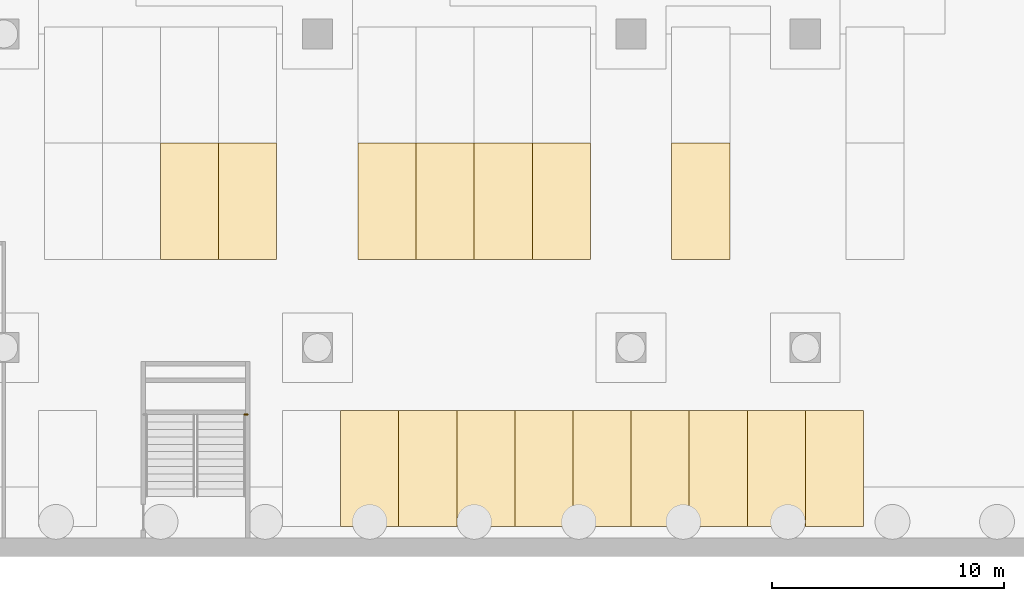
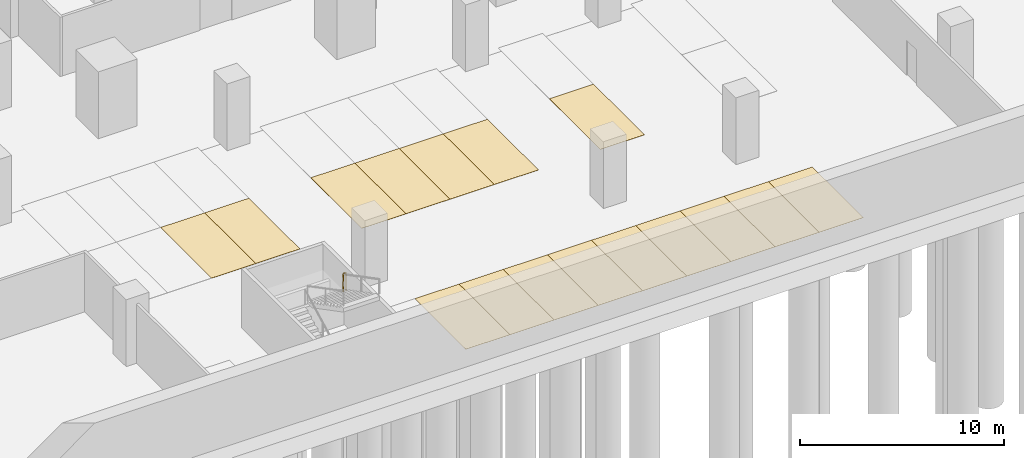
# One storey, part 30 of 40: 16 coverings, 1 railing.
"""IFC4 building model written with IfcOpenShell, lengths in metres."""

from ifc_helpers import new_model, si_unit, direction, frame, origin, origin_2d, place, context, subcontext, project, spatial, polyline, circle, outline, extrude, source, transform, mapped, material, layer, layer_set, type_object, element, save


model = new_model("IFC4")

# Units and contexts
model_context = context("Model", 3, precision=1e-05, world=origin(), true_north=direction((0.0, 1.0)))
body_context = subcontext(model_context, "Body", "Model", "MODEL_VIEW")
ifc_project = project(units=[si_unit("LENGTHUNIT", "METRE"), si_unit("AREAUNIT", "SQUARE_METRE"), si_unit("VOLUMEUNIT", "CUBIC_METRE"), si_unit("PLANEANGLEUNIT", "RADIAN"), si_unit("MASSUNIT", "GRAM", prefix="KILO")], contexts=[model_context])

# Site, building, storey
site_placement = place(None, origin())
site = spatial("IfcSite", under=ifc_project, at=site_placement, CompositionType="ELEMENT")
building_placement = place(site_placement, origin())
building = spatial("IfcBuilding", under=site, at=building_placement, Name="Altepetl Exchange Towers", CompositionType="ELEMENT")
storey_placement = place(building_placement, frame((0.0, 0.0, -8.0)))
storey = spatial("IfcBuildingStorey", under=building, at=storey_placement, Name="B2 Basement parking", CompositionType="ELEMENT", Elevation=-8.0)

# Coverings
ifc_material_1 = material(Name="Road marking paint")
ifc_layer = layer(ifc_material_1, 0.010009765625)
ifc_layer_set = layer_set([ifc_layer], Name="Road marking paint")
covering_type = type_object("IfcCoveringType", Name="Parking bay marking 2500 x 5000", PredefinedType="FLOORING", material=ifc_layer_set)
covering_1_placement = place(storey_placement, origin())
element("IfcCovering", 1, at=covering_1_placement, inside=storey, type_object=covering_type, Name="Parking bay B2-018", PredefinedType="FLOORING", context=body_context, shape_type="SweptSolid", body=[
    extrude(outline(polyline([(104.5, 1.300048828125), (107.0, 1.300048828125), (107.0, 6.300048828125), (104.5, 6.300048828125), (104.5, 1.300048828125)])), origin(), (0.0, 0.0, 1.0), 0.010009765625),
])
covering_2_placement = place(storey_placement, origin())
element("IfcCovering", 2, at=covering_2_placement, inside=storey, type_object=covering_type, Name="Parking bay B2-019", PredefinedType="FLOORING", context=body_context, shape_type="SweptSolid", body=[
    extrude(outline(polyline([(107.0, 1.300048828125), (109.5, 1.300048828125), (109.5, 6.300048828125), (107.0, 6.300048828125), (107.0, 1.300048828125)])), origin(), (0.0, 0.0, 1.0), 0.010009765625),
])
covering_3_placement = place(storey_placement, origin())
element("IfcCovering", 3, at=covering_3_placement, inside=storey, type_object=covering_type, Name="Parking bay B2-020", PredefinedType="FLOORING", context=body_context, shape_type="SweptSolid", body=[
    extrude(outline(polyline([(109.5, 1.300048828125), (112.0, 1.300048828125), (112.0, 6.300048828125), (109.5, 6.300048828125), (109.5, 1.300048828125)])), origin(), (0.0, 0.0, 1.0), 0.010009765625),
])
covering_4_placement = place(storey_placement, origin())
element("IfcCovering", 4, at=covering_4_placement, inside=storey, type_object=covering_type, Name="Parking bay B2-021", PredefinedType="FLOORING", context=body_context, shape_type="SweptSolid", body=[
    extrude(outline(polyline([(112.0, 1.300048828125), (114.5, 1.300048828125), (114.5, 6.300048828125), (112.0, 6.300048828125), (112.0, 1.300048828125)])), origin(), (0.0, 0.0, 1.0), 0.010009765625),
])
covering_5_placement = place(storey_placement, origin())
element("IfcCovering", 5, at=covering_5_placement, inside=storey, type_object=covering_type, Name="Parking bay B2-022", PredefinedType="FLOORING", context=body_context, shape_type="SweptSolid", body=[
    extrude(outline(polyline([(114.5, 1.300048828125), (117.0, 1.300048828125), (117.0, 6.300048828125), (114.5, 6.300048828125), (114.5, 1.300048828125)])), origin(), (0.0, 0.0, 1.0), 0.010009765625),
])
covering_6_placement = place(storey_placement, origin())
element("IfcCovering", 6, at=covering_6_placement, inside=storey, type_object=covering_type, Name="Parking bay B2-023", PredefinedType="FLOORING", context=body_context, shape_type="SweptSolid", body=[
    extrude(outline(polyline([(117.0, 1.300048828125), (119.5, 1.300048828125), (119.5, 6.300048828125), (117.0, 6.300048828125), (117.0, 1.300048828125)])), origin(), (0.0, 0.0, 1.0), 0.010009765625),
])
covering_7_placement = place(storey_placement, origin())
element("IfcCovering", 7, at=covering_7_placement, inside=storey, type_object=covering_type, Name="Parking bay B2-024", PredefinedType="FLOORING", context=body_context, shape_type="SweptSolid", body=[
    extrude(outline(polyline([(119.5, 1.300048828125), (122.0, 1.300048828125), (122.0, 6.300048828125), (119.5, 6.300048828125), (119.5, 1.300048828125)])), origin(), (0.0, 0.0, 1.0), 0.010009765625),
])
covering_8_placement = place(storey_placement, origin())
element("IfcCovering", 8, at=covering_8_placement, inside=storey, type_object=covering_type, Name="Parking bay B2-025", PredefinedType="FLOORING", context=body_context, shape_type="SweptSolid", body=[
    extrude(outline(polyline([(122.0, 1.300048828125), (124.5, 1.300048828125), (124.5, 6.300048828125), (122.0, 6.300048828125), (122.0, 1.300048828125)])), origin(), (0.0, 0.0, 1.0), 0.010009765625),
])
covering_9_placement = place(storey_placement, origin())
element("IfcCovering", 9, at=covering_9_placement, inside=storey, type_object=covering_type, Name="Parking bay B2-026", PredefinedType="FLOORING", context=body_context, shape_type="SweptSolid", body=[
    extrude(outline(polyline([(124.5, 1.300048828125), (127.0, 1.300048828125), (127.0, 6.300048828125), (124.5, 6.300048828125), (124.5, 1.300048828125)])), origin(), (0.0, 0.0, 1.0), 0.010009765625),
])
covering_10_placement = place(storey_placement, origin())
element("IfcCovering", 10, at=covering_10_placement, inside=storey, type_object=covering_type, Name="Parking bay B2-043", PredefinedType="FLOORING", context=body_context, shape_type="SweptSolid", body=[
    extrude(outline(polyline([(96.75, 12.800048828125), (99.25, 12.800048828125), (99.25, 17.800048828125), (96.75, 17.800048828125), (96.75, 12.800048828125)])), origin(), (0.0, 0.0, 1.0), 0.010009765625),
])
covering_11_placement = place(storey_placement, origin())
element("IfcCovering", 11, at=covering_11_placement, inside=storey, type_object=covering_type, Name="Parking bay B2-044", PredefinedType="FLOORING", context=body_context, shape_type="SweptSolid", body=[
    extrude(outline(polyline([(99.25, 12.800048828125), (101.75, 12.800048828125), (101.75, 17.800048828125), (99.25, 17.800048828125), (99.25, 12.800048828125)])), origin(), (0.0, 0.0, 1.0), 0.010009765625),
])
covering_12_placement = place(storey_placement, origin())
element("IfcCovering", 12, at=covering_12_placement, inside=storey, type_object=covering_type, Name="Parking bay B2-045", PredefinedType="FLOORING", context=body_context, shape_type="SweptSolid", body=[
    extrude(outline(polyline([(105.25, 12.800048828125), (107.75, 12.800048828125), (107.75, 17.800048828125), (105.25, 17.800048828125), (105.25, 12.800048828125)])), origin(), (0.0, 0.0, 1.0), 0.010009765625),
])
covering_13_placement = place(storey_placement, origin())
element("IfcCovering", 13, at=covering_13_placement, inside=storey, type_object=covering_type, Name="Parking bay B2-046", PredefinedType="FLOORING", context=body_context, shape_type="SweptSolid", body=[
    extrude(outline(polyline([(107.75, 12.800048828125), (110.25, 12.800048828125), (110.25, 17.800048828125), (107.75, 17.800048828125), (107.75, 12.800048828125)])), origin(), (0.0, 0.0, 1.0), 0.010009765625),
])
covering_14_placement = place(storey_placement, origin())
element("IfcCovering", 14, at=covering_14_placement, inside=storey, type_object=covering_type, Name="Parking bay B2-047", PredefinedType="FLOORING", context=body_context, shape_type="SweptSolid", body=[
    extrude(outline(polyline([(110.25, 12.800048828125), (112.75, 12.800048828125), (112.75, 17.800048828125), (110.25, 17.800048828125), (110.25, 12.800048828125)])), origin(), (0.0, 0.0, 1.0), 0.010009765625),
])
covering_15_placement = place(storey_placement, origin())
element("IfcCovering", 15, at=covering_15_placement, inside=storey, type_object=covering_type, Name="Parking bay B2-048", PredefinedType="FLOORING", context=body_context, shape_type="SweptSolid", body=[
    extrude(outline(polyline([(112.75, 12.800048828125), (115.25, 12.800048828125), (115.25, 17.800048828125), (112.75, 17.800048828125), (112.75, 12.800048828125)])), origin(), (0.0, 0.0, 1.0), 0.010009765625),
])
covering_16_placement = place(storey_placement, origin())
element("IfcCovering", 16, at=covering_16_placement, inside=storey, type_object=covering_type, Name="Parking bay B2-049", PredefinedType="FLOORING", context=body_context, shape_type="SweptSolid", body=[
    extrude(outline(polyline([(118.75, 12.800048828125), (121.25, 12.800048828125), (121.25, 17.800048828125), (118.75, 17.800048828125), (118.75, 12.800048828125)])), origin(), (0.0, 0.0, 1.0), 0.010009765625),
])

# Railing
ifc_material_2 = material(Name="Laminated glass and steel", Category="steel")
railing_type = type_object("IfcRailingType", Name="Hall gallery guard 1100", PredefinedType="GUARDRAIL", material=ifc_material_2)
shared_shape = source(origin(), body_context, "Body", "SweptSolid", [
    extrude(circle(Radius=0.02001953125, at=origin_2d()), origin(), (0.0, 0.0, 1.0), 1.050048828125),
])
railing_placement = place(storey_placement, frame((100.35009765625, 6.1201171875, 2.0)))
element("IfcRailing", 17, at=railing_placement, inside=storey, type_object=railing_type, Name="rail:P:B2:ES2land1", PredefinedType="GUARDRAIL", context=body_context, shape_type="SweptSolid", body=[
    extrude(circle(Radius=0.02490234375, at=origin_2d()), frame((0.0, 0.0, 1.0751953125), z_axis=(1.0, 0.0, 0.0), x_axis=(0.0, 1.0, 0.0)), (0.0, 0.0, 1.0), 0.14990234375),
    mapped(shared_shape, transform((0.0, 0.0, 0.0))),
    mapped(shared_shape, transform((0.14990234375, 0.0, 0.0))),
])

save(model, "model.ifc")
